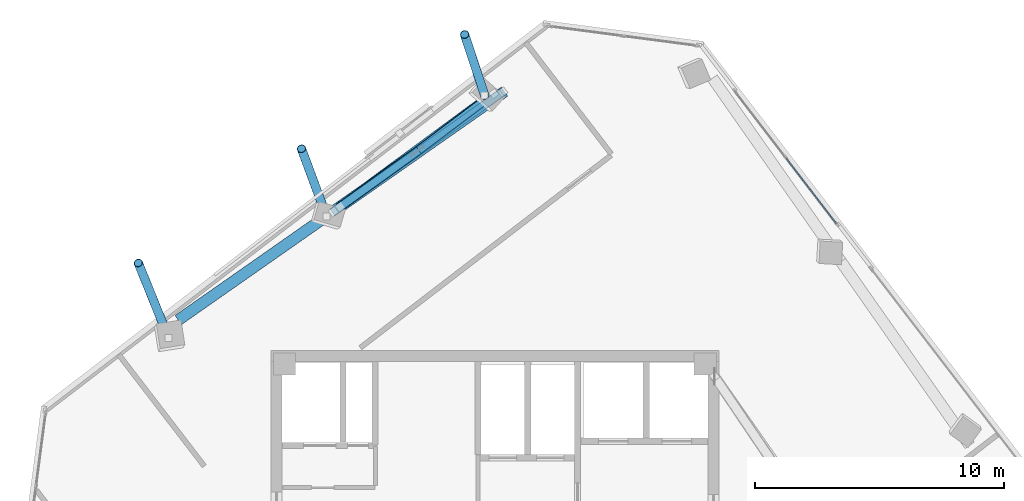
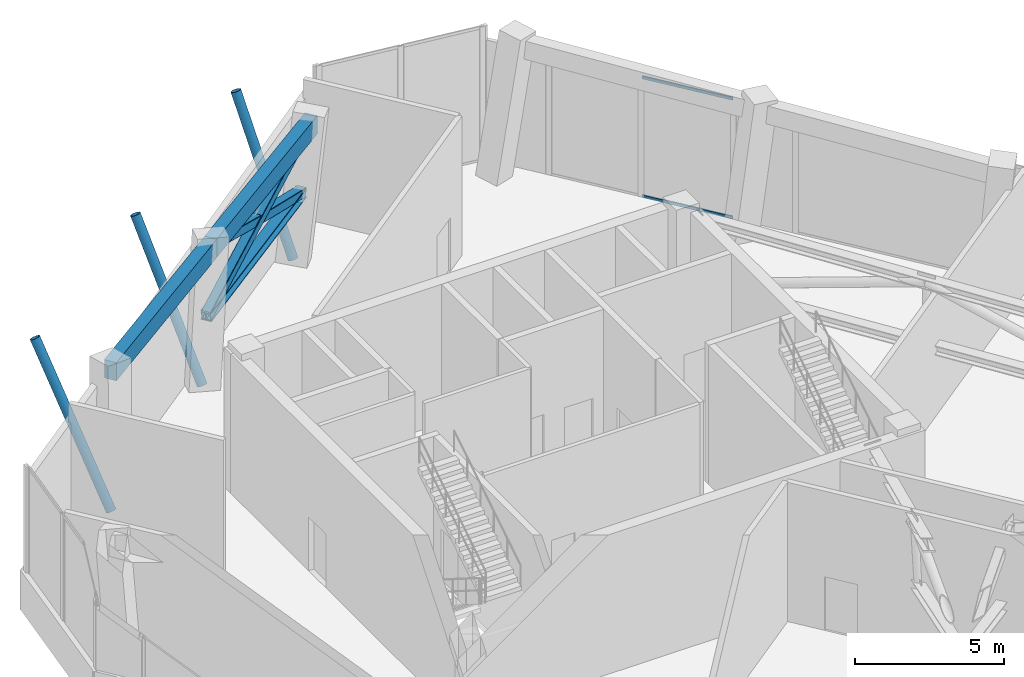
# One storey, part 10 of 19: 9 members, 2 beams, 1 element without a shape of its own.
"""IFC4 building model written with IfcOpenShell, lengths in metres."""

from ifc_helpers import new_model, si_unit, direction, frame, origin, origin_2d, place, context, subcontext, project, spatial, rectangle, hollow_rectangle, hollow_circle, i_section, extrude, source, transform, mapped, material, material_profile, profile_set, type_object, element, aggregate, save


model = new_model("IFC4")

# Units and contexts
model_context = context("Model", 3, precision=1e-05, world=origin(), true_north=direction((0.0, 1.0)))
body_context = subcontext(model_context, "Body", "Model", "MODEL_VIEW")
ifc_project = project(units=[si_unit("LENGTHUNIT", "METRE"), si_unit("AREAUNIT", "SQUARE_METRE"), si_unit("VOLUMEUNIT", "CUBIC_METRE"), si_unit("PLANEANGLEUNIT", "RADIAN"), si_unit("MASSUNIT", "GRAM", prefix="KILO")], contexts=[model_context])

# Site, building, storey
site_placement = place(None, origin())
site = spatial("IfcSite", under=ifc_project, at=site_placement, CompositionType="ELEMENT")
building_placement = place(site_placement, origin())
building = spatial("IfcBuilding", under=site, at=building_placement, Name="Torre Montelarca", CompositionType="ELEMENT")
storey_placement = place(building_placement, frame((0.0, 0.0, 287.800048828125)))
storey = spatial("IfcBuildingStorey", under=building, at=storey_placement, Name="L65", CompositionType="ELEMENT", Elevation=287.800048828125)

# Members
ifc_material_1 = material(Name="Steel ASTM A500 Grade C", Category="steel")
ifc_material_profile_1 = material_profile(ifc_material_1, hollow_circle(Radius=0.177734375, WallThickness=0.015869140625, at=origin_2d()), Name="HSS355.6X15.9", Category="steel")
ifc_profile_set_1 = profile_set([ifc_material_profile_1], Name="Steel ASTM A500 Grade C")
member_type_1 = type_object("IfcMemberType", Name="MB-BR-CHS356-EXT", PredefinedType="BRACE", material=ifc_profile_set_1)
shared_shape_1 = source(origin(), body_context, "Body", "SweptSolid", [
    extrude(hollow_circle(Radius=0.177734375, WallThickness=0.015869140625, at=origin_2d()), origin(), (0.0, 0.0, 1.0), 6.56884765625),
])
member_1_placement = place(storey_placement, frame((4.8955078125, 40.497802734375, 0.14990234375), z_axis=(-0.185643763213, 0.458218609941, 0.869236503309), x_axis=(-0.926824134008, -0.375495705197, 0.0)))
element("IfcMember", 1, at=member_1_placement, inside=storey, type_object=member_type_1, Name="L66 Sliding Tray Exterior Diagonal Raker Strut W1", PredefinedType="BRACE", context=body_context, shape_type="MappedRepresentation", body=[
    mapped(shared_shape_1, transform((0.0, 0.0, 0.0), scale=1.0)),
])
shared_shape_2 = source(origin(), body_context, "Body", "SweptSolid", [
    extrude(hollow_circle(Radius=0.177734375, WallThickness=0.015869140625, at=origin_2d()), origin(), (0.0, 0.0, 1.0), 6.408935546875),
])
member_2_placement = place(storey_placement, frame((11.242431640625, 45.367919921875, 0.14990234375), z_axis=(-0.158090744912, 0.4257021866, 0.890946106505), x_axis=(-0.937444828276, -0.348133873588, 0.0)))
element("IfcMember", 2, at=member_2_placement, inside=storey, type_object=member_type_1, Name="L66 Sliding Tray Exterior Diagonal Raker Strut W2", PredefinedType="BRACE", context=body_context, shape_type="MappedRepresentation", body=[
    mapped(shared_shape_2, transform((0.0, 0.0, 0.0), scale=1.0)),
])
shared_shape_3 = source(origin(), body_context, "Body", "SweptSolid", [
    extrude(hollow_circle(Radius=0.177734375, WallThickness=0.015869140625, at=origin_2d()), origin(), (0.0, 0.0, 1.0), 6.26416015625),
])
member_3_placement = place(storey_placement, frame((17.589111328125, 50.238037109375, 0.14990234375), z_axis=(-0.128768555259, 0.390592754482, 0.91151300557), x_axis=(-0.949720543177, -0.313098849996, 0.0)))
element("IfcMember", 3, at=member_3_placement, inside=storey, type_object=member_type_1, Name="L66 Sliding Tray Exterior Diagonal Raker Strut W3", PredefinedType="BRACE", context=body_context, shape_type="MappedRepresentation", body=[
    mapped(shared_shape_3, transform((0.0, 0.0, 0.0), scale=1.0)),
])

# Beams
ifc_material_2 = material(Name="Concrete C55/67", Category="concrete")
ifc_material_profile_2 = material_profile(ifc_material_2, rectangle(XDim=0.449951171875, YDim=0.75, at=origin_2d()), Name="RCB450X750", Category="concrete")
ifc_profile_set_2 = profile_set([ifc_material_profile_2], Name="Concrete C55/67")
beam_type = type_object("IfcBeamType", Name="BM-SP-RC750-EXT", PredefinedType="SPANDREL", material=ifc_profile_set_2)
shared_shape_4 = source(origin(), body_context, "Body", "SweptSolid", [
    extrude(rectangle(XDim=0.449951171875, YDim=0.75, at=origin_2d()), origin(), (0.0, 0.0, 1.0), 8.0),
])
for number, where, z_axis, x_axis, name in (
    (4, (5.281982421875, 41.214111328125, 5.344970703125), (0.819151624752, 0.573577035512, 0.0), (-0.573577035512, 0.819151624752, 0.0), "L65 Grid Girder Y 24.0-32.0 at X=4.7"),
    (5, (11.835205078125, 45.802734375, 5.344970703125), (0.819151624752, 0.573577035512, 0.0), (-0.573577035512, 0.819151624752, 0.0), "L65 Grid Girder Y 32.0-40.0 at X=4.7"),
):
    element("IfcBeam", number, at=place(storey_placement, frame(where, z_axis=z_axis, x_axis=x_axis)), inside=storey, type_object=beam_type, Name=name, PredefinedType="SPANDREL", context=body_context, shape_type="MappedRepresentation", body=[
        mapped(shared_shape_4, transform((0.0, 0.0, 0.0), scale=1.0)),
    ])

# Members
ifc_material_3 = material(Name="Steel ASTM A992 Grade 50", Category="steel")
ifc_material_profile_3 = material_profile(ifc_material_3, i_section(OverallWidth=0.39501953125, OverallDepth=0.3798828125, WebThickness=0.018798828125, FlangeThickness=0.0302734375, FilletRadius=0.014892578125, at=origin_2d()), Name="W360X237", Category="steel")
ifc_profile_set_3 = profile_set([ifc_material_profile_3], Name="Steel ASTM A992 Grade 50")
member_type_2 = type_object("IfcMemberType", Name="MB-CH-W360X237", PredefinedType="CHORD", material=ifc_profile_set_3)
shared_shape_5 = source(origin(), body_context, "Body", "SweptSolid", [
    extrude(i_section(OverallWidth=0.39501953125, OverallDepth=0.3798828125, WebThickness=0.018798828125, FlangeThickness=0.0302734375, FilletRadius=0.014892578125, at=origin_2d()), origin(), (0.0, 0.0, 1.0), 7.998291015625),
])
member_4_placement = place(storey_placement, frame((11.51416015625, 45.567138671875, 2.75), z_axis=(0.805359552351, 0.592786632302, 0.0), x_axis=(-0.592786632302, 0.805359552351, 0.0)))
element("IfcMember", 6, at=member_4_placement, inside=storey, type_object=member_type_2, Name="L65 Perimeter Belt-Truss Bottom Chord 1", PredefinedType="CHORD", context=body_context, shape_type="MappedRepresentation", body=[
    mapped(shared_shape_5, transform((0.0, 0.0, 0.0), scale=1.0)),
])
ifc_material_profile_4 = material_profile(ifc_material_1, hollow_rectangle(XDim=0.355712890625, YDim=0.355712890625, WallThickness=0.015869140625, InnerFilletRadius=0.015869140625, OuterFilletRadius=0.03173828125, at=origin_2d()), Name="HSS356X356X15.9", Category="steel")
ifc_profile_set_4 = profile_set([ifc_material_profile_4], Name="Steel ASTM A500 Grade C")
member_type_3 = type_object("IfcMemberType", Name="MB-BR-HSS356-EXT", PredefinedType="BRACE", material=ifc_profile_set_4)
shared_shape_6 = source(origin(), body_context, "Body", "SweptSolid", [
    extrude(hollow_rectangle(XDim=0.355712890625, YDim=0.355712890625, WallThickness=0.015869140625, InnerFilletRadius=0.015869140625, OuterFilletRadius=0.03173828125, at=origin_2d()), origin(), (0.0, 0.0, 1.0), 8.7568359375),
])
member_5_placement = place(storey_placement, frame((11.51416015625, 45.567138671875, 2.75), z_axis=(0.776662548029, 0.54929839973, 0.30832864697), x_axis=(-0.577430891313, 0.816439566506, 0.0)))
element("IfcMember", 7, at=member_5_placement, inside=storey, type_object=member_type_3, Name="L65 Perimeter Belt-Truss Continuous X-Brace 1A", PredefinedType="BRACE", context=body_context, shape_type="MappedRepresentation", body=[
    mapped(shared_shape_6, transform((0.0, 0.0, 0.0), scale=1.0)),
])
shared_shape_7 = source(origin(), body_context, "Body", "SweptSolid", [
    extrude(hollow_rectangle(XDim=0.355712890625, YDim=0.355712890625, WallThickness=0.015869140625, InnerFilletRadius=0.015869140625, OuterFilletRadius=0.03173828125, at=origin_2d()), origin(), (0.0, 0.0, 1.0), 4.064697265625),
])
member_6_placement = place(storey_placement, frame((17.95556640625, 50.308349609375, 2.75), z_axis=(-0.753855062859, -0.566937928318, 0.332090243211), x_axis=(0.601048883688, -0.799212261804, 0.0)))
element("IfcMember", 8, at=member_6_placement, inside=storey, type_object=member_type_3, Name="L65 Perimeter Belt-Truss Split X-Brace Lower 1B1", PredefinedType="BRACE", context=body_context, shape_type="MappedRepresentation", body=[
    mapped(shared_shape_7, transform((0.0, 0.0, 0.0), scale=1.0)),
])
shared_shape_8 = source(origin(), body_context, "Body", "SweptSolid", [
    extrude(hollow_rectangle(XDim=0.355712890625, YDim=0.355712890625, WallThickness=0.015869140625, InnerFilletRadius=0.015869140625, OuterFilletRadius=0.03173828125, at=origin_2d()), origin(), (0.0, 0.0, 1.0), 4.064453125),
])
member_7_placement = place(storey_placement, frame((14.891357421875, 48.00390625, 4.099853515625), z_axis=(-0.765275536942, -0.551370812683, 0.33218004076), x_axis=(0.584564737393, -0.811347069876, 0.0)))
element("IfcMember", 9, at=member_7_placement, inside=storey, type_object=member_type_3, Name="L65 Perimeter Belt-Truss Split X-Brace Upper 1B2", PredefinedType="BRACE", context=body_context, shape_type="MappedRepresentation", body=[
    mapped(shared_shape_8, transform((0.0, 0.0, 0.0), scale=1.0)),
])

# Curtain wall, members
ifc_material_4 = material(Name="Insulated low-E laminated glass", Category="glass")
curtain_wall_type = type_object("IfcCurtainWallType", Name="CW-SYS-Z3", PredefinedType="USERDEFINED", material=ifc_material_4)
curtain_wall_placement = place(storey_placement, origin())
curtain_wall = element("IfcCurtainWall", 10, at=curtain_wall_placement, inside=storey, type_object=curtain_wall_type, Name="L65 Curtain Wall Run CW-T3-L65-E08-B2", ObjectType="UNITISED GLAZING", PredefinedType="USERDEFINED")
ifc_material_5 = material(Name="Anodised aluminium AA 6063-T6", Category="aluminium")
ifc_material_profile_5 = material_profile(ifc_material_5, hollow_rectangle(XDim=0.054931640625, YDim=0.1201171875, WallThickness=0.00341796875, InnerFilletRadius=0.00341796875, OuterFilletRadius=0.007080078125, at=origin_2d()), Name="ALU55X120X3.5", Category="aluminium")
ifc_profile_set_5 = profile_set([ifc_material_profile_5], Name="Anodised aluminium AA 6063-T6")
member_type_4 = type_object("IfcMemberType", Name="CWT-ALU120", PredefinedType="USERDEFINED", material=ifc_profile_set_5)
shared_shape_9 = source(origin(), body_context, "Body", "SweptSolid", [
    extrude(hollow_rectangle(XDim=0.054931640625, YDim=0.1201171875, WallThickness=0.00341796875, InnerFilletRadius=0.00341796875, OuterFilletRadius=0.007080078125, at=origin_2d()), origin(), (0.0, 0.0, 1.0), 3.287109375),
])
member_8_placement = place(storey_placement, frame((31.708740234375, 45.093505859375, 0.02734375), z_axis=(-0.608733993177, 0.793374391791, 0.0), x_axis=(-0.793374391791, -0.608733993177, 0.0)))
member_8 = element("IfcMember", 11, at=member_8_placement, type_object=member_type_4, Name="CW transom 1.1", ObjectType="TRANSOM", PredefinedType="USERDEFINED", context=body_context, shape_type="MappedRepresentation", body=[
    mapped(shared_shape_9, transform((0.0, 0.0, 0.0), scale=1.0)),
])
member_9_placement = place(storey_placement, frame((31.708740234375, 45.093505859375, 4.907470703125), z_axis=(-0.608733993177, 0.793374391791, 0.0), x_axis=(-0.793374391791, -0.608733993177, 0.0)))
member_9 = element("IfcMember", 12, at=member_9_placement, type_object=member_type_4, Name="CW transom 1.2", ObjectType="TRANSOM", PredefinedType="USERDEFINED", context=body_context, shape_type="MappedRepresentation", body=[
    mapped(shared_shape_9, transform((0.0, 0.0, 0.0), scale=1.0)),
])
aggregate(curtain_wall, [member_8, member_9])

save(model, "model.ifc")
